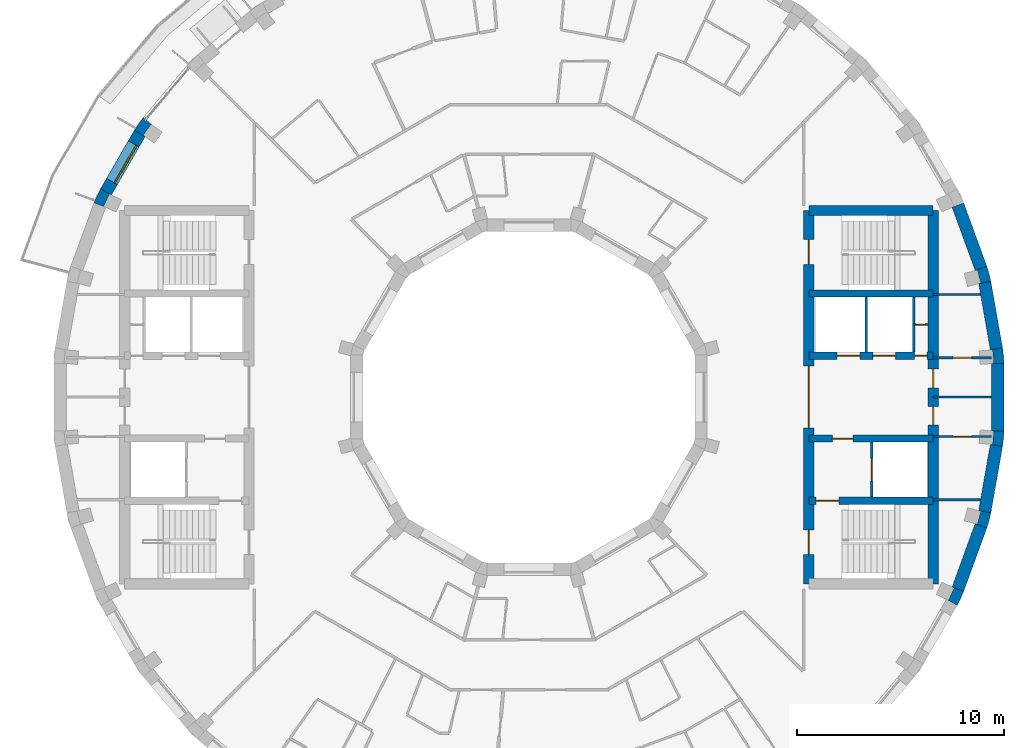
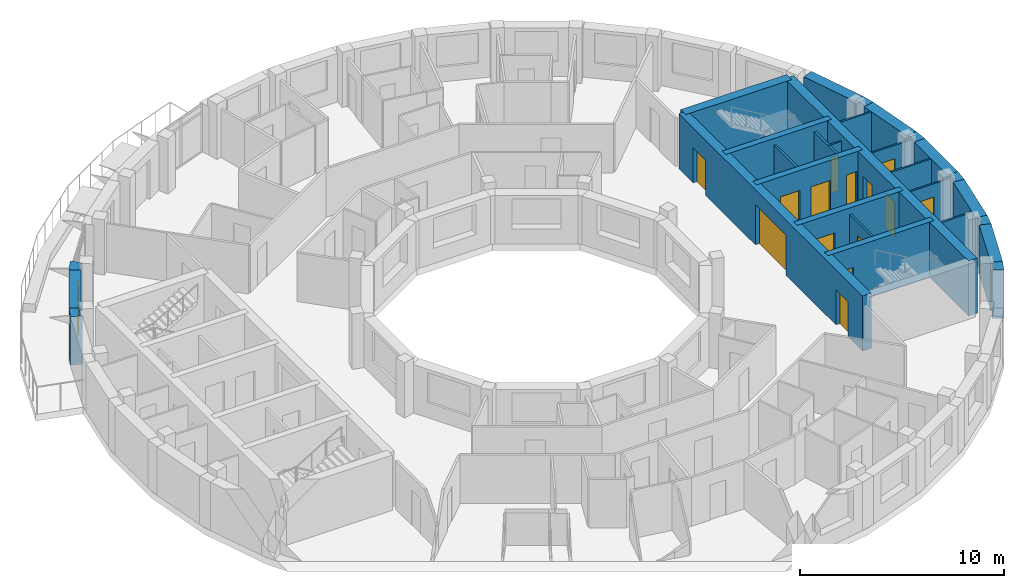
# One storey, part 8 of 12: 29 walls, 14 doors, 1 window, 15 openings.
"""IFC4 building model written with IfcOpenShell, lengths in metres."""

from ifc_helpers import new_model, si_unit, direction, frame, frame_2d, origin, place, context, subcontext, project, spatial, polyline, rectangle, outline, extrude, material, layer, layer_set, type_object, element, fill, save


model = new_model("IFC4")

# Units and contexts
model_context = context("Model", 3, precision=1e-05, world=origin(), true_north=direction((0.0, 1.0)))
body_context = subcontext(model_context, "Body", "Model", "MODEL_VIEW")
ifc_project = project(units=[si_unit("LENGTHUNIT", "METRE"), si_unit("AREAUNIT", "SQUARE_METRE"), si_unit("VOLUMEUNIT", "CUBIC_METRE"), si_unit("PLANEANGLEUNIT", "RADIAN"), si_unit("MASSUNIT", "GRAM", prefix="KILO")], contexts=[model_context])

# Site, building, storey
site_placement = place(None, origin())
site = spatial("IfcSite", under=ifc_project, at=site_placement, CompositionType="ELEMENT")
building_placement = place(site_placement, origin())
building = spatial("IfcBuilding", under=site, at=building_placement, Name="Saqina Gate Tower", CompositionType="ELEMENT")
storey_placement = place(building_placement, frame((0.0, 0.0, 233.0)))
storey = spatial("IfcBuildingStorey", under=building, at=storey_placement, Name="L66", CompositionType="ELEMENT", Elevation=233.0)

# Walls
ifc_material_1 = material(Name="Brick masonry (buff)", Category="masonry")
wall_type_1 = type_object("IfcWallType", Name="BRICK PIER COPING BUFF", PredefinedType="SOLIDWALL", material=ifc_material_1)
wall_1_placement = place(storey_placement, origin())
element("IfcWall", 1, at=wall_1_placement, inside=storey, type_object=wall_type_1, Name="Pier cap L66 column 1", PredefinedType="SOLIDWALL", context=body_context, shape_type="SweptSolid", body=[
    extrude(outline(polyline([(22.91259765625, 1.625732421875), (22.8466796875, 2.377685546875), (22.255859375, 2.2734375), (22.361083984375, 2.28271484375), (22.417724609375, 1.635009765625), (22.3125, 1.625732421875), (22.91259765625, 1.625732421875)])), origin(), (0.0, 0.0, 1.0), 2.89990234375),
])
wall_2_placement = place(storey_placement, origin())
element("IfcWall", 2, at=wall_2_placement, inside=storey, type_object=wall_type_1, Name="Pier cap L66 column 2", PredefinedType="SOLIDWALL", context=body_context, shape_type="SweptSolid", body=[
    extrude(outline(polyline([(22.0869140625, 6.30859375), (21.52294921875, 6.103515625), (21.625, 6.130859375), (21.793212890625, 5.5029296875), (21.691162109375, 5.4755859375), (22.281982421875, 5.579833984375), (22.0869140625, 6.30859375)])), origin(), (0.0, 0.0, 1.0), 2.89990234375),
])
wall_3_placement = place(storey_placement, origin())
element("IfcWall", 3, at=wall_3_placement, inside=storey, type_object=wall_type_1, Name="Pier cap L66 column 15", PredefinedType="SOLIDWALL", context=body_context, shape_type="SweptSolid", body=[
    extrude(outline(polyline([(-19.02978515625, 12.8642578125), (-18.51025390625, 12.564208984375), (-18.596923828125, 12.625), (-18.22412109375, 13.157470703125), (-18.137451171875, 13.0966796875), (-18.59716796875, 13.482421875), (-19.02978515625, 12.8642578125)])), origin(), (0.0, 0.0, 1.0), 2.89990234375),
])
wall_4_placement = place(storey_placement, origin())
element("IfcWall", 4, at=wall_4_placement, inside=storey, type_object=wall_type_1, Name="Pier cap L66 column 16", PredefinedType="SOLIDWALL", context=body_context, shape_type="SweptSolid", body=[
    extrude(outline(polyline([(-20.65576171875, 10.048095703125), (-20.974609375, 9.3642578125), (-20.410888671875, 9.1591796875), (-20.506591796875, 9.203857421875), (-20.23193359375, 9.79296875), (-20.135986328125, 9.748291015625), (-20.65576171875, 10.048095703125)])), origin(), (0.0, 0.0, 1.0), 2.89990234375),
])
wall_5_placement = place(storey_placement, origin())
element("IfcWall", 5, at=wall_5_placement, inside=storey, type_object=wall_type_1, Name="Pier cap L66 column 34", PredefinedType="SOLIDWALL", context=body_context, shape_type="SweptSolid", body=[
    extrude(outline(polyline([(20.65576171875, -10.048095703125), (20.974609375, -9.3642578125), (20.410888671875, -9.1591796875), (20.506591796875, -9.203857421875), (20.23193359375, -9.79296875), (20.135986328125, -9.748291015625), (20.65576171875, -10.048095703125)])), origin(), (0.0, 0.0, 1.0), 2.89990234375),
])
wall_6_placement = place(storey_placement, origin())
element("IfcWall", 6, at=wall_6_placement, inside=storey, type_object=wall_type_1, Name="Pier cap L66 column 35", PredefinedType="SOLIDWALL", context=body_context, shape_type="SweptSolid", body=[
    extrude(outline(polyline([(22.281982421875, -5.579833984375), (21.691162109375, -5.4755859375), (21.793212890625, -5.5029296875), (21.625, -6.130859375), (21.52294921875, -6.103515625), (22.0869140625, -6.30859375), (22.281982421875, -5.579833984375)])), origin(), (0.0, 0.0, 1.0), 2.89990234375),
])
wall_7_placement = place(storey_placement, origin())
element("IfcWall", 7, at=wall_7_placement, inside=storey, type_object=wall_type_1, Name="Pier cap L66 column 36", PredefinedType="SOLIDWALL", context=body_context, shape_type="SweptSolid", body=[
    extrude(outline(polyline([(22.8466796875, -2.377685546875), (22.91259765625, -1.625732421875), (22.3125, -1.625732421875), (22.417724609375, -1.635009765625), (22.361083984375, -2.28271484375), (22.255859375, -2.2734375), (22.8466796875, -2.377685546875)])), origin(), (0.0, 0.0, 1.0), 2.89990234375),
])

# Wall, opening, door
ifc_material_2 = material(Name="Gypsum board on steel studs", Category="steel")
ifc_layer_1 = layer(ifc_material_2, 0.10009765625)
ifc_layer_set_1 = layer_set([ifc_layer_1], Name="CORE PARTITION")
wall_type_2 = type_object("IfcWallType", Name="CORE PARTITION", PredefinedType="PARTITIONING", material=ifc_layer_set_1)
wall_8_placement = place(storey_placement, frame((18.56005859375, 3.5, 0.0), z_axis=(0.0, 0.0, 1.0), x_axis=(1.0, 0.0, 0.0)))
wall_8 = element("IfcWall", 8, at=wall_8_placement, inside=storey, type_object=wall_type_2, Name="L66-CP-E01", PredefinedType="PARTITIONING", context=body_context, shape_type="SweptSolid", body=[
    extrude(rectangle(XDim=0.68994140625, YDim=0.10009765625, at=frame_2d((0.344970703125, 0.0))), origin(), (0.0, 0.0, 1.0), 2.89990234375),
])
opening_1_placement = place(wall_8_placement, frame((0.10009765625, 0.0, 0.0)))
opening_1 = element("IfcOpeningElement", 9, at=opening_1_placement, cuts=wall_8, Name="Opening G19-D96", PredefinedType="OPENING", context=body_context, shape_type="SweptSolid", body=[
    extrude(rectangle(XDim=0.449951171875, YDim=2.10009765625, at=frame_2d((0.22509765625, 1.050048828125))), frame((0.0, 0.06201171875, 0.0), z_axis=(0.0, -1.0, 0.0), x_axis=(1.0, 0.0, 0.0)), (0.0, 0.0, 1.0), 0.1240234375),
])
ifc_material_3 = material(Name="Steel-framed fire door leaf, EI 60", Category="steel")
door_type_1 = type_object("IfcDoorType", Name="SERVICE ROOM DOOR 450", OperationType="SINGLE_SWING_LEFT", PredefinedType="DOOR", material=ifc_material_3)
door_1_placement = place(opening_1_placement, origin())
door_1 = element("IfcDoor", 10, at=door_1_placement, inside=storey, type_object=door_type_1, Name="L66-CD-E07", OperationType="SINGLE_SWING_RIGHT", OverallHeight=2.10009765625, OverallWidth=0.449951171875, PredefinedType="DOOR", context=body_context, shape_type="SweptSolid", body=[
    extrude(rectangle(XDim=0.449951171875, YDim=2.10009765625, at=frame_2d((0.22509765625, 1.050048828125))), frame((0.0, 0.02490234375, 0.0), z_axis=(0.0, -1.0, 0.0), x_axis=(1.0, 0.0, 0.0)), (0.0, 0.0, 1.0), 0.050048828125),
])
fill(opening_1, door_1)

# Wall
wall_9_placement = place(storey_placement, frame((19.5, 4.949951171875, 0.0), z_axis=(0.0, 0.0, 1.0), x_axis=(1.0, 0.0, 0.0)))
element("IfcWall", 11, at=wall_9_placement, inside=storey, type_object=wall_type_2, Name="L66-CP-E02", PredefinedType="PARTITIONING", context=body_context, shape_type="SweptSolid", body=[
    extrude(rectangle(XDim=2.283935546875, YDim=0.10009765625, at=frame_2d((1.14208984375, 0.0))), origin(), (0.0, 0.0, 1.0), 2.89990234375),
])

# Wall, opening, door
wall_10_placement = place(storey_placement, frame((19.5, 1.89990234375, 0.0), z_axis=(0.0, 0.0, 1.0), x_axis=(1.0, 0.0, 0.0)))
wall_10 = element("IfcWall", 12, at=wall_10_placement, inside=storey, type_object=wall_type_2, Name="L66-CP-E03", PredefinedType="PARTITIONING", context=body_context, shape_type="SweptSolid", body=[
    extrude(rectangle(XDim=2.8125, YDim=0.10009765625, at=frame_2d((1.40625, 0.0))), origin(), (0.0, 0.0, 1.0), 2.89990234375),
])
opening_2_placement = place(wall_10_placement, frame((0.956298828125, 0.0, 0.0)))
opening_2 = element("IfcOpeningElement", 13, at=opening_2_placement, cuts=wall_10, Name="Opening G19-D92", PredefinedType="OPENING", context=body_context, shape_type="SweptSolid", body=[
    extrude(rectangle(XDim=0.89990234375, YDim=2.10009765625, at=frame_2d((0.449951171875, 1.050048828125))), frame((0.0, 0.06201171875, 0.0), z_axis=(0.0, -1.0, 0.0), x_axis=(1.0, 0.0, 0.0)), (0.0, 0.0, 1.0), 0.1240234375),
])
ifc_material_4 = material(Name="Steel-framed fire door leaf, EI 60", Category="steel")
door_type_2 = type_object("IfcDoorType", Name="SERVICE ROOM DOOR 900", OperationType="SINGLE_SWING_LEFT", PredefinedType="DOOR", material=ifc_material_4)
door_2_placement = place(opening_2_placement, origin())
door_2 = element("IfcDoor", 14, at=door_2_placement, inside=storey, type_object=door_type_2, Name="L66-CD-E03", OperationType="SINGLE_SWING_RIGHT", OverallHeight=2.10009765625, OverallWidth=0.89990234375, PredefinedType="DOOR", context=body_context, shape_type="SweptSolid", body=[
    extrude(rectangle(XDim=0.89990234375, YDim=2.10009765625, at=frame_2d((0.449951171875, 1.050048828125))), frame((0.0, 0.02490234375, 0.0), z_axis=(0.0, -1.0, 0.0), x_axis=(1.0, 0.0, 0.0)), (0.0, 0.0, 1.0), 0.050048828125),
])
fill(opening_2, door_2)

# Wall
wall_11_placement = place(storey_placement, frame((19.5, -4.949951171875, 0.0), z_axis=(0.0, 0.0, 1.0), x_axis=(1.0, 0.0, 0.0)))
element("IfcWall", 15, at=wall_11_placement, inside=storey, type_object=wall_type_2, Name="L66-CP-E04", PredefinedType="PARTITIONING", context=body_context, shape_type="SweptSolid", body=[
    extrude(rectangle(XDim=2.283935546875, YDim=0.10009765625, at=frame_2d((1.14208984375, 0.0))), origin(), (0.0, 0.0, 1.0), 2.89990234375),
])

# Wall, opening, door
wall_12_placement = place(storey_placement, frame((19.5, -1.89990234375, 0.0), z_axis=(0.0, 0.0, 1.0), x_axis=(1.0, 0.0, 0.0)))
wall_12 = element("IfcWall", 16, at=wall_12_placement, inside=storey, type_object=wall_type_2, Name="L66-CP-E05", PredefinedType="PARTITIONING", context=body_context, shape_type="SweptSolid", body=[
    extrude(rectangle(XDim=2.8125, YDim=0.10009765625, at=frame_2d((1.40625, 0.0))), origin(), (0.0, 0.0, 1.0), 2.89990234375),
])
opening_3_placement = place(wall_12_placement, frame((0.956298828125, 0.0, 0.0)))
opening_3 = element("IfcOpeningElement", 17, at=opening_3_placement, cuts=wall_12, Name="Opening G19-D94", PredefinedType="OPENING", context=body_context, shape_type="SweptSolid", body=[
    extrude(rectangle(XDim=0.89990234375, YDim=2.10009765625, at=frame_2d((0.449951171875, 1.050048828125))), frame((0.0, 0.06201171875, 0.0), z_axis=(0.0, -1.0, 0.0), x_axis=(1.0, 0.0, 0.0)), (0.0, 0.0, 1.0), 0.1240234375),
])
door_3_placement = place(opening_3_placement, frame((0.89990234375, 0.0, 0.0), z_axis=(0.0, 0.0, 1.0), x_axis=(-1.0, 0.0, 0.0)))
door_3 = element("IfcDoor", 18, at=door_3_placement, inside=storey, type_object=door_type_2, Name="L66-CD-E05", OperationType="SINGLE_SWING_LEFT", OverallHeight=2.10009765625, OverallWidth=0.89990234375, PredefinedType="DOOR", context=body_context, shape_type="SweptSolid", body=[
    extrude(rectangle(XDim=0.89990234375, YDim=2.10009765625, at=frame_2d((0.449951171875, 1.050048828125))), frame((0.0, 0.02490234375, 0.0), z_axis=(0.0, -1.0, 0.0), x_axis=(1.0, 0.0, 0.0)), (0.0, 0.0, 1.0), 0.050048828125),
])
fill(opening_3, door_3)

# Wall
wall_13_placement = place(storey_placement, frame((19.5, 0.0, 0.0), z_axis=(0.0, 0.0, 1.0), x_axis=(1.0, 0.0, 0.0)))
element("IfcWall", 19, at=wall_13_placement, inside=storey, type_object=wall_type_2, Name="L66-CP-E06", PredefinedType="PARTITIONING", context=body_context, shape_type="SweptSolid", body=[
    extrude(rectangle(XDim=2.8125, YDim=0.10009765625, at=frame_2d((1.40625, 0.0))), origin(), (0.0, 0.0, 1.0), 2.89990234375),
])

# Wall, opening, window
ifc_material_5 = material(Name="Brick masonry (buff)", Category="masonry")
ifc_layer_2 = layer(ifc_material_5, 0.60009765625)
ifc_layer_set_2 = layer_set([ifc_layer_2], Name="FW-BRICK-BUFF")
wall_type_3 = type_object("IfcWallType", Name="FW-BRICK-BUFF", PredefinedType="SOLIDWALL", material=ifc_layer_set_2)
wall_14_placement = place(storey_placement, frame((-18.77001953125, 12.71435546875, 0.0), z_axis=(0.0, 0.0, 1.0), x_axis=(-0.500014901547, -0.866016800201, 0.0)))
wall_14 = element("IfcWall", 20, at=wall_14_placement, inside=storey, type_object=wall_type_3, Name="Facade wall L66 facet 15", PredefinedType="SOLIDWALL", context=body_context, shape_type="SweptSolid", body=[
    extrude(rectangle(XDim=3.251953125, YDim=0.60009765625, at=frame_2d((1.6259765625, 0.0))), origin(), (0.0, 0.0, 1.0), 2.89990234375),
])
opening_4_placement = place(wall_14_placement, frame((0.57568359375, 0.0, 0.89990234375)))
opening_4 = element("IfcOpeningElement", 21, at=opening_4_placement, cuts=wall_14, Name="Opening G19-W09", PredefinedType="OPENING", context=body_context, shape_type="SweptSolid", body=[
    extrude(rectangle(XDim=2.10009765625, YDim=1.800048828125, at=frame_2d((1.050048828125, 0.89990234375))), frame((0.0, 0.31201171875, 0.0), z_axis=(0.0, -1.0, 0.0), x_axis=(1.0, 0.0, 0.0)), (0.0, 0.0, 1.0), 0.6240234375),
])
ifc_material_6 = material(Name="Aluminium glazing", Category="aluminium")
window_type = type_object("IfcWindowType", Name="WN-D", PartitioningType="SINGLE_PANEL", PredefinedType="WINDOW", material=ifc_material_6)
window_placement = place(opening_4_placement, origin())
window = element("IfcWindow", 22, at=window_placement, inside=storey, type_object=window_type, Name="Window L66 facet 15", OverallHeight=1.800048828125, OverallWidth=2.10009765625, PartitioningType="SINGLE_PANEL", PredefinedType="WINDOW", context=body_context, shape_type="SweptSolid", body=[
    extrude(rectangle(XDim=2.10009765625, YDim=1.800048828125, at=frame_2d((1.050048828125, 0.89990234375))), frame((0.0, 0.179931640625, 0.0), z_axis=(0.0, -1.0, 0.0), x_axis=(1.0, 0.0, 0.0)), (0.0, 0.0, 1.0), 0.06005859375),
])
fill(opening_4, window)

# Walls
ifc_material_7 = material(Name="Glazed ceramic tile", Category="ceramic")
ifc_layer_3 = layer(ifc_material_7, 0.60009765625)
ifc_layer_set_3 = layer_set([ifc_layer_3], Name="FW-TILE")
wall_type_4 = type_object("IfcWallType", Name="FW-TILE", PredefinedType="SOLIDWALL", material=ifc_layer_set_3)
for number, where, z_axis, x_axis, name in (
    (23, (22.55126953125, 2.325439453125, 0.0), (0.0, 0.0, 1.0), (-0.173656842178, 0.984806225186, 0.0), "Facade wall L66 facet 1"),
    (24, (21.986572265625, -5.52783203125, 0.0), (0.0, 0.0, 1.0), (0.173656842178, 0.984806225186, 0.0), "Facade wall L66 facet 35"),
):
    element("IfcWall", number, at=place(storey_placement, frame(where, z_axis=z_axis, x_axis=x_axis)), inside=storey, type_object=wall_type_4, Name=name, PredefinedType="SOLIDWALL", context=body_context, shape_type="SweptSolid", body=[
        extrude(rectangle(XDim=3.251708984375, YDim=0.60009765625, at=frame_2d((1.6259765625, 0.0))), origin(), (0.0, 0.0, 1.0), 2.89990234375),
    ])
ifc_material_8 = material(Name="Glazed ceramic tile (dark blue)", Category="ceramic")
ifc_layer_4 = layer(ifc_material_8, 0.60009765625)
ifc_layer_set_4 = layer_set([ifc_layer_4], Name="FW-TILE-CB")
wall_type_5 = type_object("IfcWallType", Name="FW-TILE-CB", PredefinedType="SOLIDWALL", material=ifc_layer_set_4)
wall_15_placement = place(storey_placement, frame((22.612548828125, -1.625732421875, 0.0), z_axis=(0.0, 0.0, 1.0), x_axis=(0.0, 1.0, 0.0)))
element("IfcWall", 25, at=wall_15_placement, inside=storey, type_object=wall_type_5, Name="Facade wall L66 facet 36", PredefinedType="SOLIDWALL", context=body_context, shape_type="SweptSolid", body=[
    extrude(rectangle(XDim=3.25146484375, YDim=0.60009765625, at=frame_2d((1.625732421875, 0.0))), origin(), (0.0, 0.0, 1.0), 2.89990234375),
])
ifc_material_9 = material(Name="Glazed ceramic tile (white)", Category="ceramic")
ifc_layer_5 = layer(ifc_material_9, 0.60009765625)
ifc_layer_set_5 = layer_set([ifc_layer_5], Name="FW-TILE-WH")
wall_type_6 = type_object("IfcWallType", Name="FW-TILE-WH", PredefinedType="SOLIDWALL", material=ifc_layer_set_5)
for number, where, z_axis, x_axis, name in (
    (26, (21.804931640625, 6.2060546875, 0.0), (0.0, 0.0, 1.0), (-0.342056509473, 0.939679383794, 0.0), "Facade wall L66 facet 2"),
    (27, (20.692626953125, -9.26171875, 0.0), (0.0, 0.0, 1.0), (0.342056509473, 0.939679383794, 0.0), "Facade wall L66 facet 34"),
):
    element("IfcWall", number, at=place(storey_placement, frame(where, z_axis=z_axis, x_axis=x_axis)), inside=storey, type_object=wall_type_6, Name=name, PredefinedType="SOLIDWALL", context=body_context, shape_type="SweptSolid", body=[
        extrude(rectangle(XDim=3.251708984375, YDim=0.60009765625, at=frame_2d((1.6259765625, 0.0))), origin(), (0.0, 0.0, 1.0), 2.89990234375),
    ])
ifc_material_10 = material(Name="Autoclaved aerated concrete block", Category="concrete")
ifc_layer_6 = layer(ifc_material_10, 0.1201171875)
ifc_layer_set_6 = layer_set([ifc_layer_6], Name="SHAFT PARTITION")
wall_type_7 = type_object("IfcWallType", Name="SHAFT PARTITION", PredefinedType="PARTITIONING", material=ifc_layer_set_6)
for number, where, z_axis, x_axis, name in (
    (28, (16.280029296875, 2.175048828125, 0.0), (0.0, 0.0, 1.0), (0.0, 1.0, 0.0), "L66-CP-E07"),
    (29, (18.56005859375, 2.175048828125, 0.0), (0.0, 0.0, 1.0), (0.0, 1.0, 0.0), "L66-CP-E08"),
):
    element("IfcWall", number, at=place(storey_placement, frame(where, z_axis=z_axis, x_axis=x_axis)), inside=storey, type_object=wall_type_7, Name=name, PredefinedType="PARTITIONING", context=body_context, shape_type="SweptSolid", body=[
        extrude(rectangle(XDim=2.64990234375, YDim=0.1201171875, at=frame_2d((1.324951171875, 0.0))), origin(), (0.0, 0.0, 1.0), 2.89990234375),
    ])

# Wall, opening, door
wall_16_placement = place(storey_placement, frame((16.530029296875, -4.824951171875, 0.0), z_axis=(0.0, 0.0, 1.0), x_axis=(0.0, 1.0, 0.0)))
wall_16 = element("IfcWall", 30, at=wall_16_placement, inside=storey, type_object=wall_type_7, Name="L66-CP-E09", PredefinedType="PARTITIONING", context=body_context, shape_type="SweptSolid", body=[
    extrude(rectangle(XDim=2.64990234375, YDim=0.1201171875, at=frame_2d((1.324951171875, 0.0))), origin(), (0.0, 0.0, 1.0), 2.89990234375),
])
opening_5_placement = place(wall_16_placement, frame((0.77490234375, 0.0, 0.0)))
opening_5 = element("IfcOpeningElement", 31, at=opening_5_placement, cuts=wall_16, Name="Opening G19-LD3", PredefinedType="OPENING", context=body_context, shape_type="SweptSolid", body=[
    extrude(rectangle(XDim=1.10009765625, YDim=2.10009765625, at=frame_2d((0.550048828125, 1.050048828125))), frame((0.0, 0.072021484375, 0.0), z_axis=(0.0, -1.0, 0.0), x_axis=(1.0, 0.0, 0.0)), (0.0, 0.0, 1.0), 0.14404296875),
])
ifc_material_11 = material(Name="Stainless steel", Category="steel")
door_type_3 = type_object("IfcDoorType", Name="LANDING DOOR", OperationType="DOUBLE_DOOR_SLIDING", PredefinedType="DOOR", material=ifc_material_11)
door_4_placement = place(opening_5_placement, origin())
door_4 = element("IfcDoor", 32, at=door_4_placement, inside=storey, type_object=door_type_3, Name="LANDING DOOR FF1", OperationType="DOUBLE_DOOR_SLIDING", OverallHeight=2.10009765625, OverallWidth=1.10009765625, PredefinedType="DOOR", context=body_context, shape_type="SweptSolid", body=[
    extrude(rectangle(XDim=1.10009765625, YDim=2.10009765625, at=frame_2d((0.550048828125, 1.050048828125))), frame((0.0, 0.02490234375, 0.0), z_axis=(0.0, -1.0, 0.0), x_axis=(1.0, 0.0, 0.0)), (0.0, 0.0, 1.0), 0.050048828125),
])
fill(opening_5, door_4)

# Wall
ifc_material_12 = material(Name="Concrete C60/75", Category="concrete")
ifc_layer_7 = layer(ifc_material_12, 0.35009765625)
ifc_layer_set_7 = layer_set([ifc_layer_7], Name="Concrete C60/75")
wall_type_8 = type_object("IfcWallType", Name="STR-CORE WALL-D-I", PredefinedType="SHEAR", material=ifc_layer_set_7)
wall_17_placement = place(storey_placement, frame((13.5, 5.0, 0.0), z_axis=(0.0, 0.0, 1.0), x_axis=(1.0, 0.0, 0.0)))
element("IfcWall", 33, at=wall_17_placement, inside=storey, type_object=wall_type_8, Name="CORE WALL L66 E-X1", PredefinedType="SHEAR", context=body_context, shape_type="SweptSolid", body=[
    extrude(rectangle(XDim=6.0, YDim=0.35009765625, at=frame_2d((3.0, 0.0))), origin(), (0.0, 0.0, 1.0), 3.300048828125),
])

# Wall, opening, door
wall_18_placement = place(storey_placement, frame((13.5, -5.0, 0.0), z_axis=(0.0, 0.0, 1.0), x_axis=(1.0, 0.0, 0.0)))
wall_18 = element("IfcWall", 34, at=wall_18_placement, inside=storey, type_object=wall_type_8, Name="CORE WALL L66 E-X2", PredefinedType="SHEAR", context=body_context, shape_type="SweptSolid", body=[
    extrude(rectangle(XDim=6.0, YDim=0.35009765625, at=frame_2d((3.0, 0.0))), origin(), (0.0, 0.0, 1.0), 3.300048828125),
])
opening_6_placement = place(wall_18_placement, frame((0.35009765625, 0.0, 0.0)))
opening_6 = element("IfcOpeningElement", 35, at=opening_6_placement, cuts=wall_18, Name="Opening G19-D97", PredefinedType="OPENING", context=body_context, shape_type="SweptSolid", body=[
    extrude(rectangle(XDim=1.10009765625, YDim=2.10009765625, at=frame_2d((0.550048828125, 1.050048828125))), frame((0.0, 0.18701171875, 0.0), z_axis=(0.0, -1.0, 0.0), x_axis=(1.0, 0.0, 0.0)), (0.0, 0.0, 1.0), 0.3740234375),
])
ifc_material_13 = material(Name="Steel", Category="steel")
door_type_4 = type_object("IfcDoorType", Name="FIRE LOBBY DOOR EI 60 WIDE", OperationType="SINGLE_SWING_LEFT", PredefinedType="DOOR", material=ifc_material_13)
door_5_placement = place(opening_6_placement, frame((1.10009765625, 0.0, 0.0), z_axis=(0.0, 0.0, 1.0), x_axis=(-1.0, 0.0, 0.0)))
door_5 = element("IfcDoor", 36, at=door_5_placement, inside=storey, type_object=door_type_4, Name="L66-CD-E08", OperationType="SINGLE_SWING_RIGHT", OverallHeight=2.10009765625, OverallWidth=1.10009765625, PredefinedType="DOOR", context=body_context, shape_type="SweptSolid", body=[
    extrude(rectangle(XDim=1.10009765625, YDim=2.10009765625, at=frame_2d((0.550048828125, 1.050048828125))), frame((0.0, 0.02490234375, 0.0), z_axis=(0.0, -1.0, 0.0), x_axis=(1.0, 0.0, 0.0)), (0.0, 0.0, 1.0), 0.050048828125),
])
fill(opening_6, door_5)

# Wall, openings, doors
wall_19_placement = place(storey_placement, frame((13.5, 2.0, 0.0), z_axis=(0.0, 0.0, 1.0), x_axis=(1.0, 0.0, 0.0)))
wall_19 = element("IfcWall", 37, at=wall_19_placement, inside=storey, type_object=wall_type_8, Name="CORE WALL L66 E-L1", PredefinedType="SHEAR", context=body_context, shape_type="SweptSolid", body=[
    extrude(rectangle(XDim=6.0, YDim=0.35009765625, at=frame_2d((3.0, 0.0))), origin(), (0.0, 0.0, 1.0), 3.300048828125),
])
opening_7_placement = place(wall_19_placement, frame((1.3701171875, 0.0, 0.0)))
opening_7 = element("IfcOpeningElement", 38, at=opening_7_placement, cuts=wall_19, Name="Opening G19-LD1", PredefinedType="OPENING", context=body_context, shape_type="SweptSolid", body=[
    extrude(rectangle(XDim=1.10009765625, YDim=2.10009765625, at=frame_2d((0.550048828125, 1.050048828125))), frame((0.0, 0.18701171875, 0.0), z_axis=(0.0, -1.0, 0.0), x_axis=(1.0, 0.0, 0.0)), (0.0, 0.0, 1.0), 0.3740234375),
])
opening_8_placement = place(wall_19_placement, frame((3.090087890625, 0.0, 0.0)))
opening_8 = element("IfcOpeningElement", 39, at=opening_8_placement, cuts=wall_19, Name="Opening G19-LD2", PredefinedType="OPENING", context=body_context, shape_type="SweptSolid", body=[
    extrude(rectangle(XDim=1.10009765625, YDim=2.10009765625, at=frame_2d((0.550048828125, 1.050048828125))), frame((0.0, 0.18701171875, 0.0), z_axis=(0.0, -1.0, 0.0), x_axis=(1.0, 0.0, 0.0)), (0.0, 0.0, 1.0), 0.3740234375),
])
opening_9_placement = place(wall_19_placement, frame((5.10498046875, 0.0, 0.0)))
opening_9 = element("IfcOpeningElement", 40, at=opening_9_placement, cuts=wall_19, Name="Opening G19-D90", PredefinedType="OPENING", context=body_context, shape_type="SweptSolid", body=[
    extrude(rectangle(XDim=0.60009765625, YDim=2.10009765625, at=frame_2d((0.300048828125, 1.050048828125))), frame((0.0, 0.18701171875, 0.0), z_axis=(0.0, -1.0, 0.0), x_axis=(1.0, 0.0, 0.0)), (0.0, 0.0, 1.0), 0.3740234375),
])
door_6_placement = place(opening_7_placement, origin())
door_6 = element("IfcDoor", 41, at=door_6_placement, inside=storey, type_object=door_type_3, Name="LANDING DOOR HR1", OperationType="DOUBLE_DOOR_SLIDING", OverallHeight=2.10009765625, OverallWidth=1.10009765625, PredefinedType="DOOR", context=body_context, shape_type="SweptSolid", body=[
    extrude(rectangle(XDim=1.10009765625, YDim=2.10009765625, at=frame_2d((0.550048828125, 1.050048828125))), frame((0.0, 0.02490234375, 0.0), z_axis=(0.0, -1.0, 0.0), x_axis=(1.0, 0.0, 0.0)), (0.0, 0.0, 1.0), 0.050048828125),
])
fill(opening_7, door_6)
door_7_placement = place(opening_8_placement, origin())
door_7 = element("IfcDoor", 42, at=door_7_placement, inside=storey, type_object=door_type_3, Name="LANDING DOOR HR2", OperationType="DOUBLE_DOOR_SLIDING", OverallHeight=2.10009765625, OverallWidth=1.10009765625, PredefinedType="DOOR", context=body_context, shape_type="SweptSolid", body=[
    extrude(rectangle(XDim=1.10009765625, YDim=2.10009765625, at=frame_2d((0.550048828125, 1.050048828125))), frame((0.0, 0.02490234375, 0.0), z_axis=(0.0, -1.0, 0.0), x_axis=(1.0, 0.0, 0.0)), (0.0, 0.0, 1.0), 0.050048828125),
])
fill(opening_8, door_7)
ifc_material_14 = material(Name="Steel-framed fire door leaf, EI 60", Category="steel")
door_type_5 = type_object("IfcDoorType", Name="SERVICE ROOM DOOR 600", OperationType="SINGLE_SWING_LEFT", PredefinedType="DOOR", material=ifc_material_14)
door_8_placement = place(opening_9_placement, origin())
door_8 = element("IfcDoor", 43, at=door_8_placement, inside=storey, type_object=door_type_5, Name="L66-CD-E01", OperationType="SINGLE_SWING_RIGHT", OverallHeight=2.10009765625, OverallWidth=0.60009765625, PredefinedType="DOOR", context=body_context, shape_type="SweptSolid", body=[
    extrude(rectangle(XDim=0.60009765625, YDim=2.10009765625, at=frame_2d((0.300048828125, 1.050048828125))), frame((0.0, 0.02490234375, 0.0), z_axis=(0.0, -1.0, 0.0), x_axis=(1.0, 0.0, 0.0)), (0.0, 0.0, 1.0), 0.050048828125),
])
fill(opening_9, door_8)

# Wall, opening, door
wall_20_placement = place(storey_placement, frame((13.5, -2.0, 0.0), z_axis=(0.0, 0.0, 1.0), x_axis=(1.0, 0.0, 0.0)))
wall_20 = element("IfcWall", 44, at=wall_20_placement, inside=storey, type_object=wall_type_8, Name="CORE WALL L66 E-L2", PredefinedType="SHEAR", context=body_context, shape_type="SweptSolid", body=[
    extrude(rectangle(XDim=6.0, YDim=0.35009765625, at=frame_2d((3.0, 0.0))), origin(), (0.0, 0.0, 1.0), 3.300048828125),
])
opening_10_placement = place(wall_20_placement, frame((1.139892578125, 0.0, 0.0)))
opening_10 = element("IfcOpeningElement", 45, at=opening_10_placement, cuts=wall_20, Name="Opening G19-D91", PredefinedType="OPENING", context=body_context, shape_type="SweptSolid", body=[
    extrude(rectangle(XDim=1.0, YDim=2.10009765625, at=frame_2d((0.5, 1.050048828125))), frame((0.0, 0.18701171875, 0.0), z_axis=(0.0, -1.0, 0.0), x_axis=(1.0, 0.0, 0.0)), (0.0, 0.0, 1.0), 0.3740234375),
])
ifc_material_15 = material(Name="Steel", Category="steel")
door_type_6 = type_object("IfcDoorType", Name="FIRE LOBBY DOOR EI 60", OperationType="SINGLE_SWING_LEFT", PredefinedType="DOOR", material=ifc_material_15)
door_9_placement = place(opening_10_placement, origin())
door_9 = element("IfcDoor", 46, at=door_9_placement, inside=storey, type_object=door_type_6, Name="L66-CD-E02", OperationType="SINGLE_SWING_LEFT", OverallHeight=2.10009765625, OverallWidth=1.0, PredefinedType="DOOR", context=body_context, shape_type="SweptSolid", body=[
    extrude(rectangle(XDim=1.0, YDim=2.10009765625, at=frame_2d((0.5, 1.050048828125))), frame((0.0, 0.02490234375, 0.0), z_axis=(0.0, -1.0, 0.0), x_axis=(1.0, 0.0, 0.0)), (0.0, 0.0, 1.0), 0.050048828125),
])
fill(opening_10, door_9)

# Wall, openings, doors
ifc_material_16 = material(Name="Concrete C60/75", Category="concrete")
ifc_layer_8 = layer(ifc_material_16, 0.5)
ifc_layer_set_8 = layer_set([ifc_layer_8], Name="Concrete C60/75")
wall_type_9 = type_object("IfcWallType", Name="STR-CORE WALL-D-O", PredefinedType="SHEAR", material=ifc_layer_set_8)
wall_21_placement = place(storey_placement, frame((13.5, -9.0, 0.0), z_axis=(0.0, 0.0, 1.0), x_axis=(0.0, 1.0, 0.0)))
wall_21 = element("IfcWall", 47, at=wall_21_placement, inside=storey, type_object=wall_type_9, Name="CORE WALL L66 E-W1", PredefinedType="SHEAR", context=body_context, shape_type="SweptSolid", body=[
    extrude(rectangle(XDim=18.0, YDim=0.5, at=frame_2d((9.0, 0.0))), origin(), (0.0, 0.0, 1.0), 3.300048828125),
])
opening_11_placement = place(wall_21_placement, frame((15.39990234375, 0.0, 0.0)))
opening_11 = element("IfcOpeningElement", 48, at=opening_11_placement, cuts=wall_21, Name="Opening G19-D98", PredefinedType="OPENING", context=body_context, shape_type="SweptSolid", body=[
    extrude(rectangle(XDim=1.199951171875, YDim=2.10009765625, at=frame_2d((0.60009765625, 1.050048828125))), frame((0.0, 0.261962890625, 0.0), z_axis=(0.0, -1.0, 0.0), x_axis=(1.0, 0.0, 0.0)), (0.0, 0.0, 1.0), 0.52392578125),
])
opening_12_placement = place(wall_21_placement, frame((1.39990234375, 0.0, 0.0)))
opening_12 = element("IfcOpeningElement", 49, at=opening_12_placement, cuts=wall_21, Name="Opening G19-D99", PredefinedType="OPENING", context=body_context, shape_type="SweptSolid", body=[
    extrude(rectangle(XDim=1.199951171875, YDim=2.10009765625, at=frame_2d((0.60009765625, 1.050048828125))), frame((0.0, 0.261962890625, 0.0), z_axis=(0.0, -1.0, 0.0), x_axis=(1.0, 0.0, 0.0)), (0.0, 0.0, 1.0), 0.52392578125),
])
opening_13_placement = place(wall_21_placement, frame((7.5, 0.0, 0.0)))
opening_13 = element("IfcOpeningElement", 50, at=opening_13_placement, cuts=wall_21, Name="Opening G19-D100", PredefinedType="OPENING", context=body_context, shape_type="SweptSolid", body=[
    extrude(rectangle(XDim=3.0, YDim=2.39990234375, at=frame_2d((1.5, 1.199951171875))), frame((0.0, 0.261962890625, 0.0), z_axis=(0.0, -1.0, 0.0), x_axis=(1.0, 0.0, 0.0)), (0.0, 0.0, 1.0), 0.52392578125),
])
ifc_material_17 = material(Name="Steel", Category="steel")
door_type_7 = type_object("IfcDoorType", Name="FIRE DOOR EI 60", OperationType="SINGLE_SWING_LEFT", PredefinedType="DOOR", material=ifc_material_17)
door_10_placement = place(opening_11_placement, frame((1.199951171875, 0.0, 0.0), z_axis=(0.0, 0.0, 1.0), x_axis=(-1.0, 0.0, 0.0)))
door_10 = element("IfcDoor", 51, at=door_10_placement, inside=storey, type_object=door_type_7, Name="L66-CD-E09", OperationType="SINGLE_SWING_LEFT", OverallHeight=2.10009765625, OverallWidth=1.199951171875, PredefinedType="DOOR", context=body_context, shape_type="SweptSolid", body=[
    extrude(rectangle(XDim=1.199951171875, YDim=2.10009765625, at=frame_2d((0.60009765625, 1.050048828125))), frame((0.0, 0.02490234375, 0.0), z_axis=(0.0, -1.0, 0.0), x_axis=(1.0, 0.0, 0.0)), (0.0, 0.0, 1.0), 0.050048828125),
])
fill(opening_11, door_10)
door_11_placement = place(opening_12_placement, frame((1.199951171875, 0.0, 0.0), z_axis=(0.0, 0.0, 1.0), x_axis=(-1.0, 0.0, 0.0)))
door_11 = element("IfcDoor", 52, at=door_11_placement, inside=storey, type_object=door_type_7, Name="L66-CD-E10", OperationType="SINGLE_SWING_RIGHT", OverallHeight=2.10009765625, OverallWidth=1.199951171875, PredefinedType="DOOR", context=body_context, shape_type="SweptSolid", body=[
    extrude(rectangle(XDim=1.199951171875, YDim=2.10009765625, at=frame_2d((0.60009765625, 1.050048828125))), frame((0.0, 0.02490234375, 0.0), z_axis=(0.0, -1.0, 0.0), x_axis=(1.0, 0.0, 0.0)), (0.0, 0.0, 1.0), 0.050048828125),
])
fill(opening_12, door_11)
ifc_material_18 = material(Name="Steel and fire-resisting glass", Category="steel")
door_type_8 = type_object("IfcDoorType", Name="LOBBY SCREEN DOOR", OperationType="DOUBLE_DOOR_SLIDING", PredefinedType="DOOR", material=ifc_material_18)
door_12_placement = place(opening_13_placement, origin())
door_12 = element("IfcDoor", 53, at=door_12_placement, inside=storey, type_object=door_type_8, Name="L66-CD-E11", OperationType="DOUBLE_DOOR_SLIDING", OverallHeight=2.39990234375, OverallWidth=3.0, PredefinedType="DOOR", context=body_context, shape_type="SweptSolid", body=[
    extrude(rectangle(XDim=3.0, YDim=2.39990234375, at=frame_2d((1.5, 1.199951171875))), frame((0.0, 0.02490234375, 0.0), z_axis=(0.0, -1.0, 0.0), x_axis=(1.0, 0.0, 0.0)), (0.0, 0.0, 1.0), 0.050048828125),
])
fill(opening_13, door_12)

wall_22_placement = place(storey_placement, frame((19.5, -9.0, 0.0), z_axis=(0.0, 0.0, 1.0), x_axis=(0.0, 1.0, 0.0)))
wall_22 = element("IfcWall", 54, at=wall_22_placement, inside=storey, type_object=wall_type_9, Name="CORE WALL L66 E-W2", PredefinedType="SHEAR", context=body_context, shape_type="SweptSolid", body=[
    extrude(rectangle(XDim=18.0, YDim=0.5, at=frame_2d((9.0, 0.0))), origin(), (0.0, 0.0, 1.0), 3.300048828125),
])
opening_14_placement = place(wall_22_placement, frame((9.449951171875, 0.0, 0.0)))
opening_14 = element("IfcOpeningElement", 55, at=opening_14_placement, cuts=wall_22, Name="Opening G19-D93", PredefinedType="OPENING", context=body_context, shape_type="SweptSolid", body=[
    extrude(rectangle(XDim=0.89990234375, YDim=2.10009765625, at=frame_2d((0.449951171875, 1.050048828125))), frame((0.0, 0.261962890625, 0.0), z_axis=(0.0, -1.0, 0.0), x_axis=(1.0, 0.0, 0.0)), (0.0, 0.0, 1.0), 0.52392578125),
])
opening_15_placement = place(wall_22_placement, frame((7.64990234375, 0.0, 0.0)))
opening_15 = element("IfcOpeningElement", 56, at=opening_15_placement, cuts=wall_22, Name="Opening G19-D95", PredefinedType="OPENING", context=body_context, shape_type="SweptSolid", body=[
    extrude(rectangle(XDim=0.89990234375, YDim=2.10009765625, at=frame_2d((0.449951171875, 1.050048828125))), frame((0.0, 0.261962890625, 0.0), z_axis=(0.0, -1.0, 0.0), x_axis=(1.0, 0.0, 0.0)), (0.0, 0.0, 1.0), 0.52392578125),
])
door_13_placement = place(opening_14_placement, frame((0.89990234375, 0.0, 0.0), z_axis=(0.0, 0.0, 1.0), x_axis=(-1.0, 0.0, 0.0)))
door_13 = element("IfcDoor", 57, at=door_13_placement, inside=storey, type_object=door_type_2, Name="L66-CD-E04", OperationType="SINGLE_SWING_LEFT", OverallHeight=2.10009765625, OverallWidth=0.89990234375, PredefinedType="DOOR", context=body_context, shape_type="SweptSolid", body=[
    extrude(rectangle(XDim=0.89990234375, YDim=2.10009765625, at=frame_2d((0.449951171875, 1.050048828125))), frame((0.0, 0.02490234375, 0.0), z_axis=(0.0, -1.0, 0.0), x_axis=(1.0, 0.0, 0.0)), (0.0, 0.0, 1.0), 0.050048828125),
])
fill(opening_14, door_13)
door_14_placement = place(opening_15_placement, frame((0.89990234375, 0.0, 0.0), z_axis=(0.0, 0.0, 1.0), x_axis=(-1.0, 0.0, 0.0)))
door_14 = element("IfcDoor", 58, at=door_14_placement, inside=storey, type_object=door_type_2, Name="L66-CD-E06", OperationType="SINGLE_SWING_RIGHT", OverallHeight=2.10009765625, OverallWidth=0.89990234375, PredefinedType="DOOR", context=body_context, shape_type="SweptSolid", body=[
    extrude(rectangle(XDim=0.89990234375, YDim=2.10009765625, at=frame_2d((0.449951171875, 1.050048828125))), frame((0.0, 0.02490234375, 0.0), z_axis=(0.0, -1.0, 0.0), x_axis=(1.0, 0.0, 0.0)), (0.0, 0.0, 1.0), 0.050048828125),
])
fill(opening_15, door_14)

# Wall
wall_23_placement = place(storey_placement, frame((13.5, 9.0, 0.0), z_axis=(0.0, 0.0, 1.0), x_axis=(1.0, 0.0, 0.0)))
element("IfcWall", 59, at=wall_23_placement, inside=storey, type_object=wall_type_9, Name="CORE WALL L66 E-NE", PredefinedType="SHEAR", context=body_context, shape_type="SweptSolid", body=[
    extrude(rectangle(XDim=6.0, YDim=0.5, at=frame_2d((3.0, 0.0))), origin(), (0.0, 0.0, 1.0), 3.300048828125),
])

save(model, "model.ifc")
